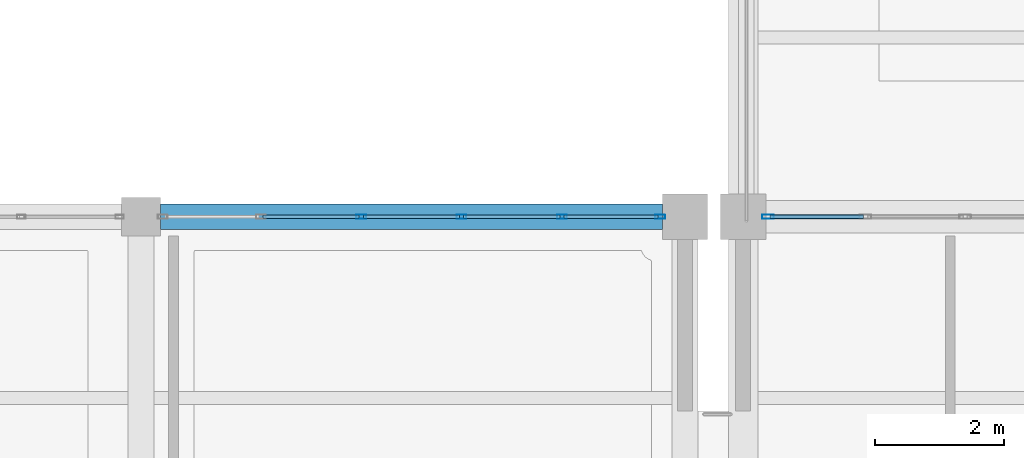
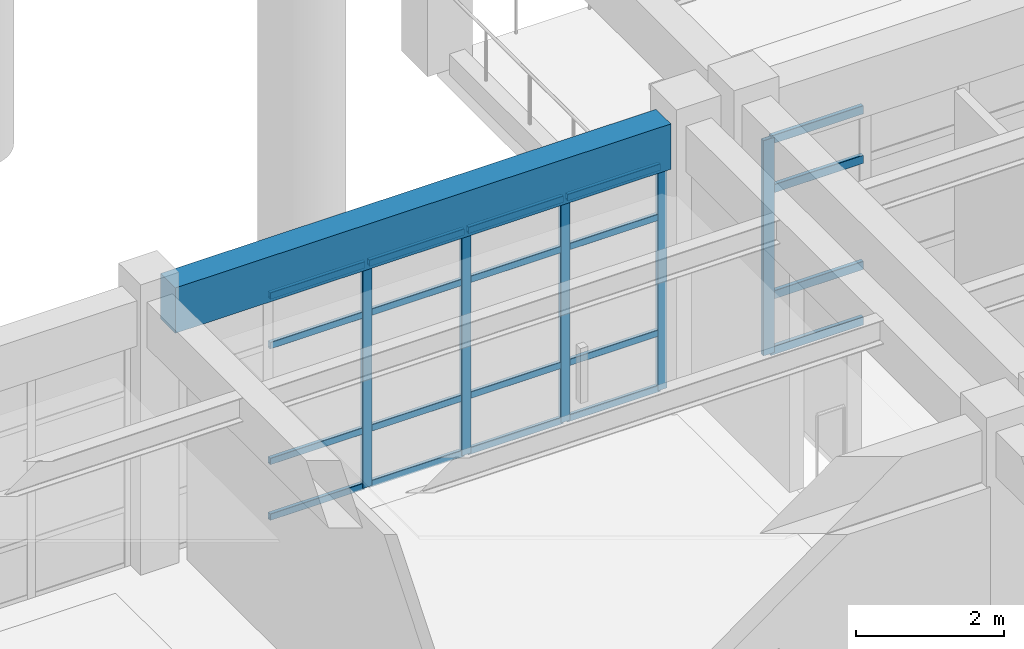
# One storey, part 24 of 98: 25 members, 1 beam, 2 elements without a shape of their own.
"""IFC4 building model written with IfcOpenShell, lengths in metres."""

from ifc_helpers import new_model, si_unit, direction, frame, origin, origin_2d, place, context, subcontext, project, spatial, rectangle, hollow_rectangle, extrude, material, material_profile, profile_set, type_object, element, aggregate, save


model = new_model("IFC4")

# Units and contexts
model_context = context("Model", 3, precision=1e-05, world=origin(), true_north=direction((0.0, 1.0)))
body_context = subcontext(model_context, "Body", "Model", "MODEL_VIEW")
ifc_project = project(units=[si_unit("LENGTHUNIT", "METRE"), si_unit("AREAUNIT", "SQUARE_METRE"), si_unit("VOLUMEUNIT", "CUBIC_METRE"), si_unit("PLANEANGLEUNIT", "RADIAN"), si_unit("MASSUNIT", "GRAM", prefix="KILO")], contexts=[model_context])

# Site, building, storey
site_placement = place(None, origin())
site = spatial("IfcSite", under=ifc_project, at=site_placement, CompositionType="ELEMENT")
building_placement = place(site_placement, origin())
building = spatial("IfcBuilding", under=site, at=building_placement, Name="Canglan Escarpment Cableway Terminal", CompositionType="ELEMENT")
storey_placement = place(building_placement, frame((0.0, 0.0, 9.60009765625)))
storey = spatial("IfcBuildingStorey", under=building, at=storey_placement, Name="L02", CompositionType="ELEMENT", Elevation=9.60009765625)

# Curtain wall, members
ifc_material_1 = material(Name="Anodized bronze aluminium and Low-E double glazing", Category="aluminium")
curtain_wall_type_1 = type_object("IfcCurtainWallType", Name="CW-BAY-7750x3725", PredefinedType="NOTDEFINED", material=ifc_material_1)
curtain_wall_1_placement = place(storey_placement, origin())
curtain_wall_1 = element("IfcCurtainWall", 1, at=curtain_wall_1_placement, inside=storey, type_object=curtain_wall_type_1, Name="Classical bay-between-piers glazed curtain wall CW-12", PredefinedType="NOTDEFINED")
ifc_material_2 = material(Name="Thermally broken anodized aluminium 6063-T6", Category="aluminium")
ifc_material_profile_1 = material_profile(ifc_material_2, hollow_rectangle(XDim=0.06494140625, YDim=0.14990234375, WallThickness=0.00341796875, InnerFilletRadius=0.00341796875, OuterFilletRadius=0.007080078125, at=origin_2d()), Name="ALU-MULL 65x150x3.5")
ifc_profile_set_1 = profile_set([ifc_material_profile_1], Name="Thermally broken anodized aluminium 6063-T6")
member_type_1 = type_object("IfcMemberType", Name="CWM-02", PredefinedType="MULLION", material=ifc_profile_set_1)
member_1_placement = place(storey_placement, frame((110.217529296875, 24.800048828125, 0.0), z_axis=(0.0, 0.0, 1.0), x_axis=(0.0, -1.0, 0.0)))
member_1 = element("IfcMember", 2, at=member_1_placement, type_object=member_type_1, Name="CW-12 mullion 1", PredefinedType="MULLION", context=body_context, shape_type="SweptSolid", body=[
    extrude(hollow_rectangle(XDim=0.06494140625, YDim=0.14990234375, WallThickness=0.00341796875, InnerFilletRadius=0.00341796875, OuterFilletRadius=0.007080078125, at=origin_2d()), origin(), (0.0, 0.0, 1.0), 3.71484375),
])
member_2_placement = place(storey_placement, frame((108.699951171875, 24.800048828125, 0.0), z_axis=(0.0, 0.0, 1.0), x_axis=(0.0, -1.0, 0.0)))
member_2 = element("IfcMember", 3, at=member_2_placement, type_object=member_type_1, Name="CW-12 mullion 2", PredefinedType="MULLION", context=body_context, shape_type="SweptSolid", body=[
    extrude(hollow_rectangle(XDim=0.06494140625, YDim=0.14990234375, WallThickness=0.00341796875, InnerFilletRadius=0.00341796875, OuterFilletRadius=0.007080078125, at=origin_2d()), origin(), (0.0, 0.0, 1.0), 3.71484375),
])
member_3_placement = place(storey_placement, frame((107.14990234375, 24.800048828125, 0.0), z_axis=(0.0, 0.0, 1.0), x_axis=(0.0, -1.0, 0.0)))
member_3 = element("IfcMember", 4, at=member_3_placement, type_object=member_type_1, Name="CW-12 mullion 3", PredefinedType="MULLION", context=body_context, shape_type="SweptSolid", body=[
    extrude(hollow_rectangle(XDim=0.06494140625, YDim=0.14990234375, WallThickness=0.00341796875, InnerFilletRadius=0.00341796875, OuterFilletRadius=0.007080078125, at=origin_2d()), origin(), (0.0, 0.0, 1.0), 3.71484375),
])
member_4_placement = place(storey_placement, frame((105.60009765625, 24.800048828125, 0.0), z_axis=(0.0, 0.0, 1.0), x_axis=(0.0, -1.0, 0.0)))
member_4 = element("IfcMember", 5, at=member_4_placement, type_object=member_type_1, Name="CW-12 mullion 4", PredefinedType="MULLION", context=body_context, shape_type="SweptSolid", body=[
    extrude(hollow_rectangle(XDim=0.06494140625, YDim=0.14990234375, WallThickness=0.00341796875, InnerFilletRadius=0.00341796875, OuterFilletRadius=0.007080078125, at=origin_2d()), origin(), (0.0, 0.0, 1.0), 3.71484375),
])

# Curtain wall, member
curtain_wall_type_2 = type_object("IfcCurtainWallType", Name="CW-BAY-7700x3550", PredefinedType="NOTDEFINED", material=ifc_material_1)
curtain_wall_2_placement = place(storey_placement, origin())
curtain_wall_2 = element("IfcCurtainWall", 6, at=curtain_wall_2_placement, inside=storey, type_object=curtain_wall_type_2, Name="Classical bay-between-piers glazed curtain wall CW-15", PredefinedType="NOTDEFINED")
ifc_material_profile_2 = material_profile(ifc_material_2, hollow_rectangle(XDim=0.06494140625, YDim=0.179931640625, WallThickness=0.00390625, InnerFilletRadius=0.00390625, OuterFilletRadius=0.008056640625, at=origin_2d()), Name="ALU-MULL 65x180x4")
ifc_profile_set_2 = profile_set([ifc_material_profile_2], Name="Thermally broken anodized aluminium 6063-T6")
member_type_2 = type_object("IfcMemberType", Name="CWM-03", PredefinedType="MULLION", material=ifc_profile_set_2)
member_5_placement = place(storey_placement, frame((111.882568359375, 24.800048828125, 0.0), z_axis=(0.0, 0.0, 1.0), x_axis=(0.0, -1.0, 0.0)))
member_5 = element("IfcMember", 7, at=member_5_placement, type_object=member_type_2, Name="CW-15 mullion 6", PredefinedType="MULLION", context=body_context, shape_type="SweptSolid", body=[
    extrude(hollow_rectangle(XDim=0.06494140625, YDim=0.179931640625, WallThickness=0.00390625, InnerFilletRadius=0.00390625, OuterFilletRadius=0.008056640625, at=origin_2d()), origin(), (0.0, 0.0, 1.0), 3.554931640625),
])

# Member
ifc_material_profile_3 = material_profile(ifc_material_2, hollow_rectangle(XDim=0.06005859375, YDim=0.110107421875, WallThickness=0.0029296875, InnerFilletRadius=0.0029296875, OuterFilletRadius=0.006103515625, at=origin_2d()), Name="ALU-TRAN 60x110x3")
ifc_profile_set_3 = profile_set([ifc_material_profile_3], Name="Thermally broken anodized aluminium 6063-T6")
member_type_3 = type_object("IfcMemberType", Name="CWT-02", PredefinedType="USERDEFINED", material=ifc_profile_set_3)
member_6_placement = place(storey_placement, frame((110.18505859375, 24.800048828125, 0.02978515625), z_axis=(-1.0, 0.0, 0.0), x_axis=(0.0, -1.0, 0.0)))
member_6 = element("IfcMember", 8, at=member_6_placement, type_object=member_type_3, Name="CW-12 transom 1.1", ObjectType="TRANSOM", PredefinedType="USERDEFINED", context=body_context, shape_type="SweptSolid", body=[
    extrude(hollow_rectangle(XDim=0.06005859375, YDim=0.110107421875, WallThickness=0.0029296875, InnerFilletRadius=0.0029296875, OuterFilletRadius=0.006103515625, at=origin_2d()), origin(), (0.0, 0.0, 1.0), 1.45263671875),
])

member_7_placement = place(storey_placement, frame((110.18505859375, 24.800048828125, 0.949951171875), z_axis=(-1.0, 0.0, 0.0), x_axis=(0.0, -1.0, 0.0)))
member_7 = element("IfcMember", 9, at=member_7_placement, type_object=member_type_3, Name="CW-12 transom 1.2", ObjectType="TRANSOM", PredefinedType="USERDEFINED", context=body_context, shape_type="SweptSolid", body=[
    extrude(hollow_rectangle(XDim=0.06005859375, YDim=0.110107421875, WallThickness=0.0029296875, InnerFilletRadius=0.0029296875, OuterFilletRadius=0.006103515625, at=origin_2d()), origin(), (0.0, 0.0, 1.0), 1.45263671875),
])

member_8_placement = place(storey_placement, frame((110.18505859375, 24.800048828125, 2.864990234375), z_axis=(-1.0, 0.0, 0.0), x_axis=(0.0, -1.0, 0.0)))
member_8 = element("IfcMember", 10, at=member_8_placement, type_object=member_type_3, Name="CW-12 transom 1.3", ObjectType="TRANSOM", PredefinedType="USERDEFINED", context=body_context, shape_type="SweptSolid", body=[
    extrude(hollow_rectangle(XDim=0.06005859375, YDim=0.110107421875, WallThickness=0.0029296875, InnerFilletRadius=0.0029296875, OuterFilletRadius=0.006103515625, at=origin_2d()), origin(), (0.0, 0.0, 1.0), 1.45263671875),
])

member_9_placement = place(storey_placement, frame((110.18505859375, 24.800048828125, 3.684814453125), z_axis=(-1.0, 0.0, 0.0), x_axis=(0.0, -1.0, 0.0)))
member_9 = element("IfcMember", 11, at=member_9_placement, type_object=member_type_3, Name="CW-12 transom 1.4", ObjectType="TRANSOM", PredefinedType="USERDEFINED", context=body_context, shape_type="SweptSolid", body=[
    extrude(hollow_rectangle(XDim=0.06005859375, YDim=0.110107421875, WallThickness=0.0029296875, InnerFilletRadius=0.0029296875, OuterFilletRadius=0.006103515625, at=origin_2d()), origin(), (0.0, 0.0, 1.0), 1.45263671875),
])

member_10_placement = place(storey_placement, frame((108.66748046875, 24.800048828125, 0.02978515625), z_axis=(-1.0, 0.0, 0.0), x_axis=(0.0, -1.0, 0.0)))
member_10 = element("IfcMember", 12, at=member_10_placement, type_object=member_type_3, Name="CW-12 transom 2.1", ObjectType="TRANSOM", PredefinedType="USERDEFINED", context=body_context, shape_type="SweptSolid", body=[
    extrude(hollow_rectangle(XDim=0.06005859375, YDim=0.110107421875, WallThickness=0.0029296875, InnerFilletRadius=0.0029296875, OuterFilletRadius=0.006103515625, at=origin_2d()), origin(), (0.0, 0.0, 1.0), 1.48486328125),
])

member_11_placement = place(storey_placement, frame((108.66748046875, 24.800048828125, 0.949951171875), z_axis=(-1.0, 0.0, 0.0), x_axis=(0.0, -1.0, 0.0)))
member_11 = element("IfcMember", 13, at=member_11_placement, type_object=member_type_3, Name="CW-12 transom 2.2", ObjectType="TRANSOM", PredefinedType="USERDEFINED", context=body_context, shape_type="SweptSolid", body=[
    extrude(hollow_rectangle(XDim=0.06005859375, YDim=0.110107421875, WallThickness=0.0029296875, InnerFilletRadius=0.0029296875, OuterFilletRadius=0.006103515625, at=origin_2d()), origin(), (0.0, 0.0, 1.0), 1.48486328125),
])

member_12_placement = place(storey_placement, frame((108.66748046875, 24.800048828125, 2.864990234375), z_axis=(-1.0, 0.0, 0.0), x_axis=(0.0, -1.0, 0.0)))
member_12 = element("IfcMember", 14, at=member_12_placement, type_object=member_type_3, Name="CW-12 transom 2.3", ObjectType="TRANSOM", PredefinedType="USERDEFINED", context=body_context, shape_type="SweptSolid", body=[
    extrude(hollow_rectangle(XDim=0.06005859375, YDim=0.110107421875, WallThickness=0.0029296875, InnerFilletRadius=0.0029296875, OuterFilletRadius=0.006103515625, at=origin_2d()), origin(), (0.0, 0.0, 1.0), 1.48486328125),
])

member_13_placement = place(storey_placement, frame((108.66748046875, 24.800048828125, 3.684814453125), z_axis=(-1.0, 0.0, 0.0), x_axis=(0.0, -1.0, 0.0)))
member_13 = element("IfcMember", 15, at=member_13_placement, type_object=member_type_3, Name="CW-12 transom 2.4", ObjectType="TRANSOM", PredefinedType="USERDEFINED", context=body_context, shape_type="SweptSolid", body=[
    extrude(hollow_rectangle(XDim=0.06005859375, YDim=0.110107421875, WallThickness=0.0029296875, InnerFilletRadius=0.0029296875, OuterFilletRadius=0.006103515625, at=origin_2d()), origin(), (0.0, 0.0, 1.0), 1.48486328125),
])

member_14_placement = place(storey_placement, frame((107.117431640625, 24.800048828125, 0.02978515625), z_axis=(-1.0, 0.0, 0.0), x_axis=(0.0, -1.0, 0.0)))
member_14 = element("IfcMember", 16, at=member_14_placement, type_object=member_type_3, Name="CW-12 transom 3.1", ObjectType="TRANSOM", PredefinedType="USERDEFINED", context=body_context, shape_type="SweptSolid", body=[
    extrude(hollow_rectangle(XDim=0.06005859375, YDim=0.110107421875, WallThickness=0.0029296875, InnerFilletRadius=0.0029296875, OuterFilletRadius=0.006103515625, at=origin_2d()), origin(), (0.0, 0.0, 1.0), 1.48486328125),
])

member_15_placement = place(storey_placement, frame((107.117431640625, 24.800048828125, 0.949951171875), z_axis=(-1.0, 0.0, 0.0), x_axis=(0.0, -1.0, 0.0)))
member_15 = element("IfcMember", 17, at=member_15_placement, type_object=member_type_3, Name="CW-12 transom 3.2", ObjectType="TRANSOM", PredefinedType="USERDEFINED", context=body_context, shape_type="SweptSolid", body=[
    extrude(hollow_rectangle(XDim=0.06005859375, YDim=0.110107421875, WallThickness=0.0029296875, InnerFilletRadius=0.0029296875, OuterFilletRadius=0.006103515625, at=origin_2d()), origin(), (0.0, 0.0, 1.0), 1.48486328125),
])

member_16_placement = place(storey_placement, frame((107.117431640625, 24.800048828125, 2.864990234375), z_axis=(-1.0, 0.0, 0.0), x_axis=(0.0, -1.0, 0.0)))
member_16 = element("IfcMember", 18, at=member_16_placement, type_object=member_type_3, Name="CW-12 transom 3.3", ObjectType="TRANSOM", PredefinedType="USERDEFINED", context=body_context, shape_type="SweptSolid", body=[
    extrude(hollow_rectangle(XDim=0.06005859375, YDim=0.110107421875, WallThickness=0.0029296875, InnerFilletRadius=0.0029296875, OuterFilletRadius=0.006103515625, at=origin_2d()), origin(), (0.0, 0.0, 1.0), 1.48486328125),
])

member_17_placement = place(storey_placement, frame((107.117431640625, 24.800048828125, 3.684814453125), z_axis=(-1.0, 0.0, 0.0), x_axis=(0.0, -1.0, 0.0)))
member_17 = element("IfcMember", 19, at=member_17_placement, type_object=member_type_3, Name="CW-12 transom 3.4", ObjectType="TRANSOM", PredefinedType="USERDEFINED", context=body_context, shape_type="SweptSolid", body=[
    extrude(hollow_rectangle(XDim=0.06005859375, YDim=0.110107421875, WallThickness=0.0029296875, InnerFilletRadius=0.0029296875, OuterFilletRadius=0.006103515625, at=origin_2d()), origin(), (0.0, 0.0, 1.0), 1.48486328125),
])

member_18_placement = place(storey_placement, frame((105.5673828125, 24.800048828125, 0.02978515625), z_axis=(-1.0, 0.0, 0.0), x_axis=(0.0, -1.0, 0.0)))
member_18 = element("IfcMember", 20, at=member_18_placement, type_object=member_type_3, Name="CW-12 transom 4.1", ObjectType="TRANSOM", PredefinedType="USERDEFINED", context=body_context, shape_type="SweptSolid", body=[
    extrude(hollow_rectangle(XDim=0.06005859375, YDim=0.110107421875, WallThickness=0.0029296875, InnerFilletRadius=0.0029296875, OuterFilletRadius=0.006103515625, at=origin_2d()), origin(), (0.0, 0.0, 1.0), 1.48486328125),
])

member_19_placement = place(storey_placement, frame((105.5673828125, 24.800048828125, 0.949951171875), z_axis=(-1.0, 0.0, 0.0), x_axis=(0.0, -1.0, 0.0)))
member_19 = element("IfcMember", 21, at=member_19_placement, type_object=member_type_3, Name="CW-12 transom 4.2", ObjectType="TRANSOM", PredefinedType="USERDEFINED", context=body_context, shape_type="SweptSolid", body=[
    extrude(hollow_rectangle(XDim=0.06005859375, YDim=0.110107421875, WallThickness=0.0029296875, InnerFilletRadius=0.0029296875, OuterFilletRadius=0.006103515625, at=origin_2d()), origin(), (0.0, 0.0, 1.0), 1.48486328125),
])

member_20_placement = place(storey_placement, frame((105.5673828125, 24.800048828125, 2.864990234375), z_axis=(-1.0, 0.0, 0.0), x_axis=(0.0, -1.0, 0.0)))
member_20 = element("IfcMember", 22, at=member_20_placement, type_object=member_type_3, Name="CW-12 transom 4.3", ObjectType="TRANSOM", PredefinedType="USERDEFINED", context=body_context, shape_type="SweptSolid", body=[
    extrude(hollow_rectangle(XDim=0.06005859375, YDim=0.110107421875, WallThickness=0.0029296875, InnerFilletRadius=0.0029296875, OuterFilletRadius=0.006103515625, at=origin_2d()), origin(), (0.0, 0.0, 1.0), 1.48486328125),
])

member_21_placement = place(storey_placement, frame((105.5673828125, 24.800048828125, 3.684814453125), z_axis=(-1.0, 0.0, 0.0), x_axis=(0.0, -1.0, 0.0)))
member_21 = element("IfcMember", 23, at=member_21_placement, type_object=member_type_3, Name="CW-12 transom 4.4", ObjectType="TRANSOM", PredefinedType="USERDEFINED", context=body_context, shape_type="SweptSolid", body=[
    extrude(hollow_rectangle(XDim=0.06005859375, YDim=0.110107421875, WallThickness=0.0029296875, InnerFilletRadius=0.0029296875, OuterFilletRadius=0.006103515625, at=origin_2d()), origin(), (0.0, 0.0, 1.0), 1.48486328125),
])

aggregate(curtain_wall_1, [member_1, member_2, member_3, member_4, member_6, member_7, member_8, member_9, member_10, member_11, member_12, member_13, member_14, member_15, member_16, member_17, member_18, member_19, member_20, member_21])

ifc_material_profile_4 = material_profile(ifc_material_2, hollow_rectangle(XDim=0.06494140625, YDim=0.139892578125, WallThickness=0.00341796875, InnerFilletRadius=0.00341796875, OuterFilletRadius=0.007080078125, at=origin_2d()), Name="ALU-TRAN 65x140x3.5")
ifc_profile_set_4 = profile_set([ifc_material_profile_4], Name="Thermally broken anodized aluminium 6063-T6")
member_type_4 = type_object("IfcMemberType", Name="CWT-03", PredefinedType="USERDEFINED", material=ifc_profile_set_4)
member_22_placement = place(storey_placement, frame((113.357421875, 24.800048828125, 0.032470703125), z_axis=(-1.0, 0.0, 0.0), x_axis=(0.0, -1.0, 0.0)))
member_22 = element("IfcMember", 24, at=member_22_placement, type_object=member_type_4, Name="CW-15 transom 5.1", ObjectType="TRANSOM", PredefinedType="USERDEFINED", context=body_context, shape_type="SweptSolid", body=[
    extrude(hollow_rectangle(XDim=0.06494140625, YDim=0.139892578125, WallThickness=0.00341796875, InnerFilletRadius=0.00341796875, OuterFilletRadius=0.007080078125, at=origin_2d()), origin(), (0.0, 0.0, 1.0), 1.4423828125),
])

member_23_placement = place(storey_placement, frame((113.357421875, 24.800048828125, 0.949951171875), z_axis=(-1.0, 0.0, 0.0), x_axis=(0.0, -1.0, 0.0)))
member_23 = element("IfcMember", 25, at=member_23_placement, type_object=member_type_4, Name="CW-15 transom 5.2", ObjectType="TRANSOM", PredefinedType="USERDEFINED", context=body_context, shape_type="SweptSolid", body=[
    extrude(hollow_rectangle(XDim=0.06494140625, YDim=0.139892578125, WallThickness=0.00341796875, InnerFilletRadius=0.00341796875, OuterFilletRadius=0.007080078125, at=origin_2d()), origin(), (0.0, 0.0, 1.0), 1.4423828125),
])

member_24_placement = place(storey_placement, frame((113.357421875, 24.800048828125, 2.704833984375), z_axis=(-1.0, 0.0, 0.0), x_axis=(0.0, -1.0, 0.0)))
member_24 = element("IfcMember", 26, at=member_24_placement, type_object=member_type_4, Name="CW-15 transom 5.3", ObjectType="TRANSOM", PredefinedType="USERDEFINED", context=body_context, shape_type="SweptSolid", body=[
    extrude(hollow_rectangle(XDim=0.06494140625, YDim=0.139892578125, WallThickness=0.00341796875, InnerFilletRadius=0.00341796875, OuterFilletRadius=0.007080078125, at=origin_2d()), origin(), (0.0, 0.0, 1.0), 1.4423828125),
])

member_25_placement = place(storey_placement, frame((113.357421875, 24.800048828125, 3.5224609375), z_axis=(-1.0, 0.0, 0.0), x_axis=(0.0, -1.0, 0.0)))
member_25 = element("IfcMember", 27, at=member_25_placement, type_object=member_type_4, Name="CW-15 transom 5.4", ObjectType="TRANSOM", PredefinedType="USERDEFINED", context=body_context, shape_type="SweptSolid", body=[
    extrude(hollow_rectangle(XDim=0.06494140625, YDim=0.139892578125, WallThickness=0.00341796875, InnerFilletRadius=0.00341796875, OuterFilletRadius=0.007080078125, at=origin_2d()), origin(), (0.0, 0.0, 1.0), 1.4423828125),
])

aggregate(curtain_wall_2, [member_5, member_22, member_23, member_24, member_25])

# Beam
ifc_material_3 = material(Name="Concrete C40", Category="concrete")
ifc_material_profile_5 = material_profile(ifc_material_3, rectangle(XDim=0.39990234375, YDim=0.75, at=origin_2d()), Name="RC 400x750")
ifc_profile_set_5 = profile_set([ifc_material_profile_5], Name="Concrete C40")
beam_type = type_object("IfcBeamType", Name="SP-RC400x750", PredefinedType="SPANDREL", material=ifc_profile_set_5)
beam_placement = place(storey_placement, frame((102.5, 24.800048828125, 4.10498046875), z_axis=(1.0, 0.0, 0.0), x_axis=(0.0, 1.0, 0.0)))
element("IfcBeam", 28, at=beam_placement, inside=storey, type_object=beam_type, Name="Primary structural girder SP-01", PredefinedType="SPANDREL", context=body_context, shape_type="SweptSolid", body=[
    extrude(rectangle(XDim=0.39990234375, YDim=0.75, at=origin_2d()), origin(), (0.0, 0.0, 1.0), 7.75),
])

save(model, "model.ifc")
